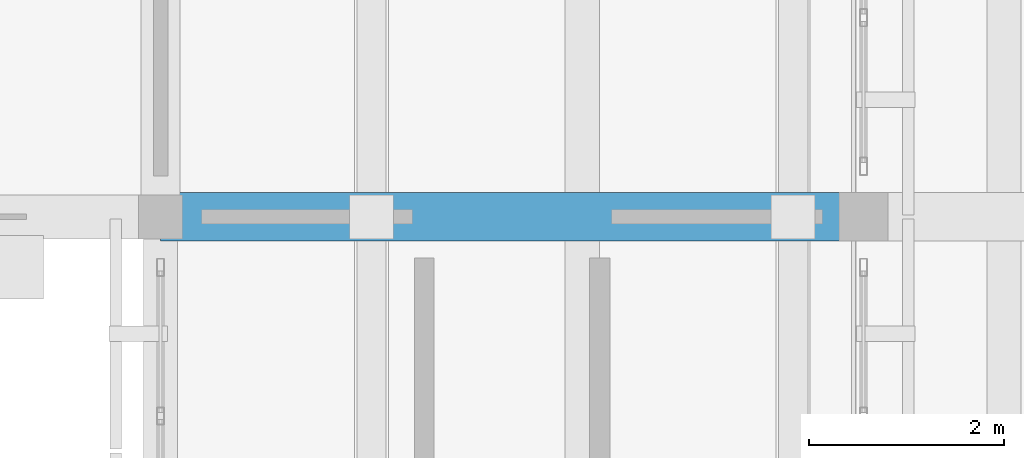
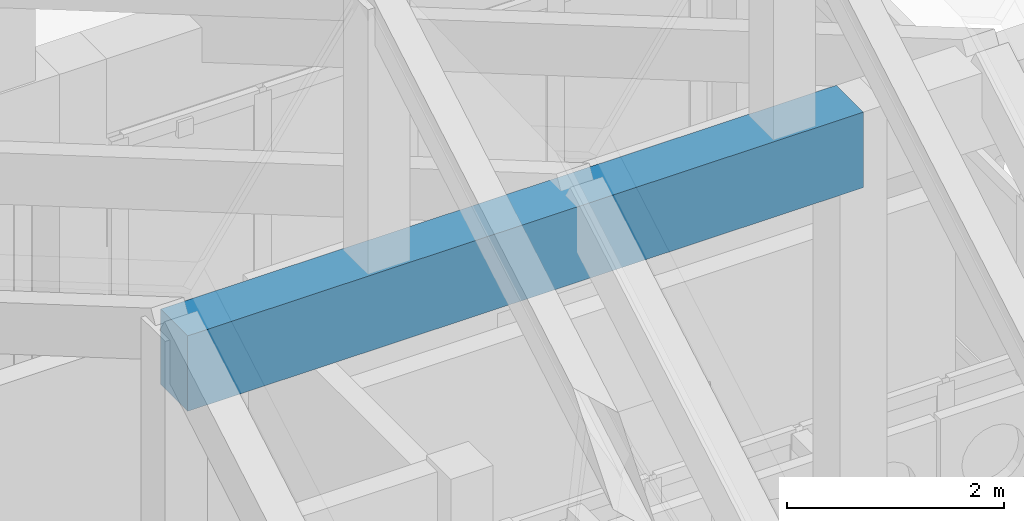
# One storey, part 22 of 171: 1 beam.
"""IFC4 building model written with IfcOpenShell, lengths in metres."""

import ifcopenshell
import ifcopenshell.guid

model = None  # the IFC model being written
_history = None  # IfcOwnerHistory: only IFC2X3 demands one
_inside = {}  # id of a spatial element -> (the spatial element, [elements in it])
_under = {}  # id of a project, library or spatial element -> (it, [spatial elements below it])
_declared = {}  # id of a project -> (the project, [libraries it declares])
_typed = {}  # id of a type object -> (the type object, [elements of that type])
_made_of = {}  # id of a material, layer set ... -> (it, [elements and type objects made of it])


def new_model(schema):
    """Start an empty IFC model of exactly this schema.

    Asked for "IFC4X3", IfcOpenShell would pick the latest addendum, in which some entities
    have other attributes; the version numbers below select the first issue.
    IFC2X3 requires an IfcOwnerHistory on every rooted entity: one is made here for all.
    """
    global model, _history
    if schema == "IFC4X3":
        model = ifcopenshell.file(schema_version=(4, 3, 0, 0))
    else:
        model = ifcopenshell.file(schema=schema)
    _inside.clear()
    _under.clear()
    _declared.clear()
    _typed.clear()
    _made_of.clear()
    _history = None
    if model.schema == "IFC2X3":
        org = make("IfcOrganization", Name="unknown")
        user = make(
            "IfcPersonAndOrganization",
            ThePerson=make("IfcPerson", FamilyName="unknown"),
            TheOrganization=org,
        )
        app = make(
            "IfcApplication",
            ApplicationDeveloper=org,
            Version="unknown",
            ApplicationFullName="unknown",
            ApplicationIdentifier="unknown",
        )
        _history = make(
            "IfcOwnerHistory",
            OwningUser=user,
            OwningApplication=app,
            ChangeAction="ADDED",
            CreationDate=0,
        )
    return model


def make(cls, **values):
    """One entity of the class cls with the attributes given. An attribute that is None is left unset."""
    return model.create_entity(
        cls, **{name: value for name, value in values.items() if value is not None}
    )


def rooted(cls, **values):
    """An entity with a GlobalId (a new one), such as an element, a storey or a relation."""
    return make(cls, GlobalId=ifcopenshell.guid.new(), OwnerHistory=_history, **values)


def si_unit(unit_type, name, prefix=None):
    """IfcSIUnit, for example si_unit("LENGTHUNIT", "METRE", prefix="MILLI")."""
    return make("IfcSIUnit", UnitType=unit_type, Prefix=prefix, Name=name)


def assignment(units):
    """IfcUnitAssignment: the units of a project."""
    return None if units is None else make("IfcUnitAssignment", Units=units)


def point(xyz):
    """IfcCartesianPoint."""
    return None if xyz is None else make("IfcCartesianPoint", Coordinates=xyz)


def direction(xyz):
    """IfcDirection."""
    return None if xyz is None else make("IfcDirection", DirectionRatios=xyz)


def frame(location, z_axis=None, x_axis=None):
    """IfcAxis2Placement3D, a coordinate frame: its origin and axes. An axis left out is left unset."""
    return make(
        "IfcAxis2Placement3D",
        Location=point(location),
        Axis=direction(z_axis),
        RefDirection=direction(x_axis),
    )


def frame_2d(location, x_axis=None):
    """IfcAxis2Placement2D, a coordinate frame in the plane: its origin and x axis."""
    return make(
        "IfcAxis2Placement2D", Location=point(location), RefDirection=direction(x_axis)
    )


def origin():
    """The frame at (0, 0, 0) with its axes left unset."""
    return frame((0.0, 0.0, 0.0))


def origin_2d():
    """The frame at (0, 0) in the plane with its x axis left unset."""
    return frame_2d((0.0, 0.0))


def place(relative_to, where):
    """IfcLocalPlacement: puts the frame where relative to a parent placement (None: the world)."""
    return make(
        "IfcLocalPlacement", PlacementRelTo=relative_to, RelativePlacement=where
    )


def context(
    kind, dimensions, precision=None, world=None, true_north=None, identifier=None
):
    """IfcGeometricRepresentationContext, for example the 3D "Model" context."""
    return make(
        "IfcGeometricRepresentationContext",
        ContextIdentifier=identifier,
        ContextType=kind,
        CoordinateSpaceDimension=dimensions,
        Precision=precision,
        WorldCoordinateSystem=world,
        TrueNorth=true_north,
    )


def subcontext(parent, identifier, kind, view, scale=None):
    """IfcGeometricRepresentationSubContext, for example "Body" below "Model"."""
    return make(
        "IfcGeometricRepresentationSubContext",
        ContextIdentifier=identifier,
        ContextType=kind,
        ParentContext=parent,
        TargetScale=scale,
        TargetView=view,
    )


def project(units=None, contexts=None):
    """IfcProject with its units and contexts."""
    return rooted(
        "IfcProject",
        Name="project",
        RepresentationContexts=contexts,
        UnitsInContext=assignment(units),
    )


def spatial(cls, under=None, at=None, **own):
    """A site, building, storey or space (cls), placed at a placement, below another one or the project."""
    s = rooted(cls, ObjectPlacement=at, **own)
    if under is not None:
        _under.setdefault(under.id(), (under, []))[1].append(s)
    return s


def profile(cls, at=None, kind="AREA", **sizes):
    """A parametric profile (cls). Its sizes go by their IFC names, for example OverallWidth=200.0."""
    return make(cls, ProfileType=kind, Position=at, **sizes)


def rectangle(**sizes):
    """IfcRectangleProfileDef."""
    return profile("IfcRectangleProfileDef", **sizes)


def extrude(swept, where, along, depth):
    """IfcExtrudedAreaSolid: the profile swept, set in the frame where, extruded along a direction by depth."""
    return make(
        "IfcExtrudedAreaSolid",
        SweptArea=swept,
        Position=where,
        ExtrudedDirection=direction(along),
        Depth=depth,
    )


def shape(context_of_items, identifier, shape_type, items):
    """IfcShapeRepresentation: the items that make up one representation, for example the "Body"."""
    return make(
        "IfcShapeRepresentation",
        ContextOfItems=context_of_items,
        RepresentationIdentifier=identifier,
        RepresentationType=shape_type,
        Items=items,
    )


def material(Name=None, Category=None):
    """IfcMaterial."""
    return make("IfcMaterial", Name=Name, Category=Category)


def material_profile(
    of_material, cross_section, Name=None, Category=None, Priority=None
):
    """IfcMaterialProfile: a cross section and its material."""
    return make(
        "IfcMaterialProfile",
        Name=Name,
        Material=of_material,
        Profile=cross_section,
        Priority=Priority,
        Category=Category,
    )


def profile_set(profiles, Name=None, composite=None):
    """IfcMaterialProfileSet."""
    return make(
        "IfcMaterialProfileSet",
        Name=Name,
        MaterialProfiles=profiles,
        CompositeProfile=composite,
    )


def made_of(thing, what):
    """Note that an element or type object is made of a material, layer set ...; save() writes the relation."""
    if what is not None:
        _made_of.setdefault(what.id(), (what, []))[1].append(thing)
    return thing


def type_object(cls, material=None, **own):
    """A type object (cls), such as IfcWallType, which elements share."""
    return made_of(rooted(cls, **own), material)


def element(
    cls,
    number,
    at=None,
    inside=None,
    cuts=None,
    type_object=None,
    material=None,
    context=None,
    identifier="Body",
    shape_type=None,
    held_by="IfcProductDefinitionShape",
    body=None,
    shapes=None,
    **own,
):
    """One element of the class cls, such as IfcWall. Its Tag is "e" and its number.

    at: its placement. inside: the storey or other place that contains it. cuts: it is an
    opening in that element (IfcRelVoidsElement). A single representation is given by context,
    identifier, shape_type and body (its items); several are given by shapes. held_by: the class
    of the entity that holds the representations. save() writes the other relations.
    """
    e = rooted(cls, Tag="e%d" % number, ObjectPlacement=at, **own)
    if body is not None:
        shapes = [shape(context, identifier, shape_type, body)]
    if shapes is not None:
        e.Representation = make(held_by, Representations=shapes)
    if inside is not None:
        _inside.setdefault(inside.id(), (inside, []))[1].append(e)
    if cuts is not None:
        rooted(
            "IfcRelVoidsElement", RelatingBuildingElement=cuts, RelatedOpeningElement=e
        )
    if type_object is not None:
        _typed.setdefault(type_object.id(), (type_object, []))[1].append(e)
    return made_of(e, material)


def aggregate(whole, parts):
    """IfcRelAggregates: a whole, such as a stair, and the parts it consists of."""
    return rooted("IfcRelAggregates", RelatingObject=whole, RelatedObjects=parts)


def save(model, path):
    """Write the relations noted so far, then the file.

    IfcRelAggregates (storeys below a building ...), IfcRelContainedInSpatialStructure (elements
    in a storey), IfcRelDefinesByType, IfcRelAssociatesMaterial and IfcRelDeclares: one each for
    every whole, place, type object, material and project.
    """
    for whole, parts in _under.values():
        aggregate(whole, parts)
    for where, things in _inside.values():
        rooted(
            "IfcRelContainedInSpatialStructure",
            RelatedElements=things,
            RelatingStructure=where,
        )
    for kind, things in _typed.values():
        rooted("IfcRelDefinesByType", RelatedObjects=things, RelatingType=kind)
    for what, things in _made_of.values():
        rooted("IfcRelAssociatesMaterial", RelatedObjects=things, RelatingMaterial=what)
    for by, libraries in _declared.values():
        rooted("IfcRelDeclares", RelatingContext=by, RelatedDefinitions=libraries)
    model.write(path)


model = new_model("IFC4")

# Units and contexts
model_context = context("Model", 3, precision=1e-05, world=origin(), true_north=direction((0.0, 1.0)))
body_context = subcontext(model_context, "Body", "Model", "MODEL_VIEW")
ifc_project = project(units=[si_unit("LENGTHUNIT", "METRE"), si_unit("AREAUNIT", "SQUARE_METRE"), si_unit("VOLUMEUNIT", "CUBIC_METRE"), si_unit("PLANEANGLEUNIT", "RADIAN"), si_unit("MASSUNIT", "GRAM", prefix="KILO")], contexts=[model_context])

# Site, building, storey
site_placement = place(None, origin())
site = spatial("IfcSite", under=ifc_project, at=site_placement, CompositionType="ELEMENT")
building_placement = place(site_placement, origin())
building = spatial("IfcBuilding", under=site, at=building_placement, Name="Aldebral Square Health Centre", CompositionType="ELEMENT")
storey_placement = place(building_placement, frame((0.0, 0.0, 4.5)))
storey = spatial("IfcBuildingStorey", under=building, at=storey_placement, Name="L01", CompositionType="ELEMENT", Elevation=4.5)

# Beam
ifc_material = material(Name="Concrete C40/50", Category="concrete")
ifc_material_profile = material_profile(ifc_material, rectangle(XDim=0.5, YDim=0.85009765625, at=origin_2d()), Name="RC 500x850")
ifc_profile_set = profile_set([ifc_material_profile], Name="Concrete C40/50")
beam_type = type_object("IfcBeamType", Name="BM-G1", PredefinedType="T_BEAM", material=ifc_profile_set)
beam_placement = place(storey_placement, frame((64.800048828125, 86.39990234375, 12.294921875), z_axis=(1.0, 0.0, 0.0), x_axis=(0.0, 1.0, 0.0)))
element("IfcBeam", 1, at=beam_placement, inside=storey, type_object=beam_type, Name="Waiting Hall diaphragm girder SPINE-M 10", PredefinedType="T_BEAM", context=body_context, shape_type="SweptSolid", body=[
    extrude(rectangle(XDim=0.5, YDim=0.85009765625, at=origin_2d()), origin(), (0.0, 0.0, 1.0), 7.199951171875),
])

save(model, "model.ifc")
